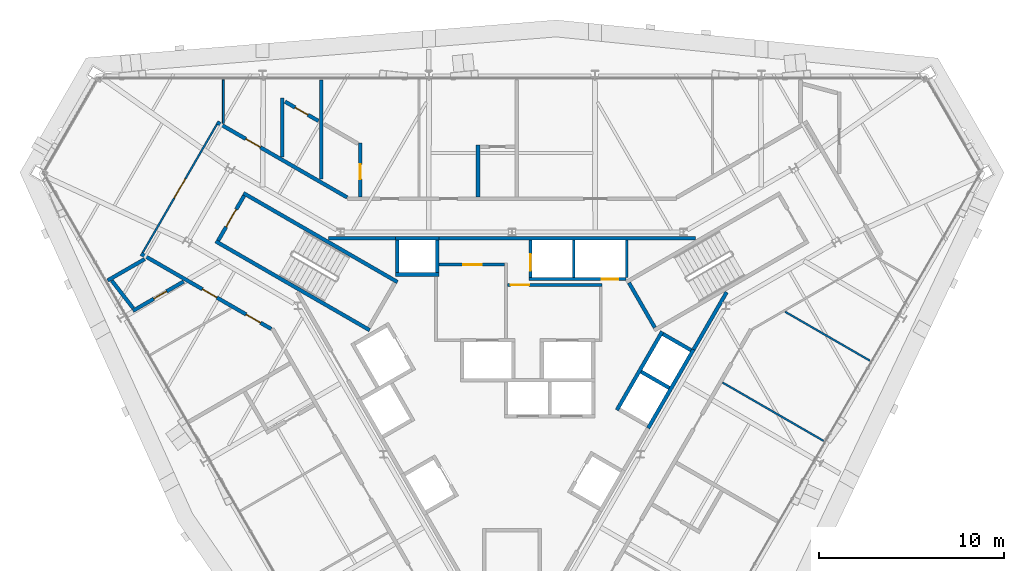
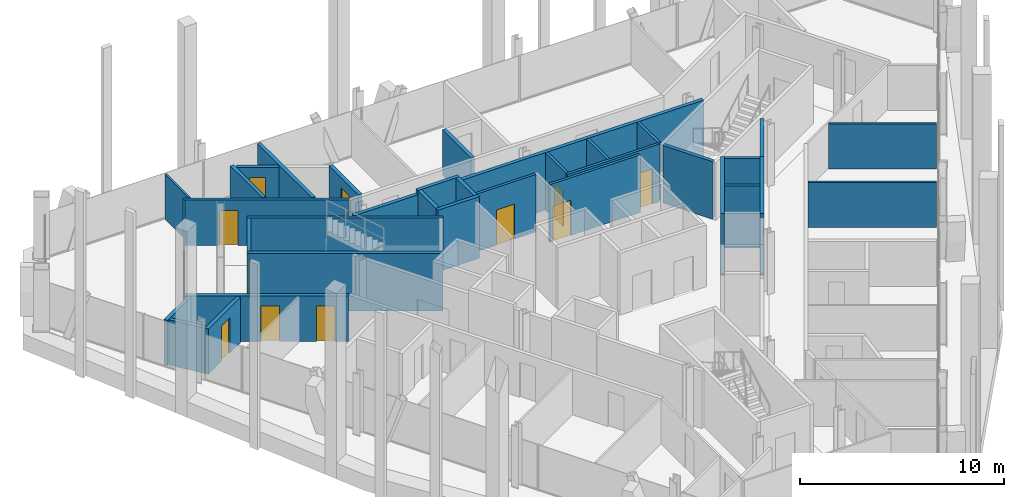
# One storey, part 13 of 16: 35 walls, 12 doors, 12 openings.
"""IFC4 building model written with IfcOpenShell, lengths in metres."""

from ifc_helpers import new_model, si_unit, direction, frame, frame_2d, origin, place, context, subcontext, project, spatial, rectangle, extrude, material, layer, layer_set, type_object, element, fill, save


model = new_model("IFC4")

# Units and contexts
model_context = context("Model", 3, precision=1e-05, world=origin(), true_north=direction((0.0, 1.0)))
body_context = subcontext(model_context, "Body", "Model", "MODEL_VIEW")
ifc_project = project(units=[si_unit("LENGTHUNIT", "METRE"), si_unit("AREAUNIT", "SQUARE_METRE"), si_unit("VOLUMEUNIT", "CUBIC_METRE"), si_unit("PLANEANGLEUNIT", "RADIAN"), si_unit("MASSUNIT", "GRAM", prefix="KILO")], contexts=[model_context])

# Site, building, storey
site_placement = place(None, origin())
site = spatial("IfcSite", under=ifc_project, at=site_placement, CompositionType="ELEMENT")
building_placement = place(site_placement, origin())
building = spatial("IfcBuilding", under=site, at=building_placement, Name="Verrane Prism Tower", CompositionType="ELEMENT")
storey_placement = place(building_placement, frame((0.0, 0.0, 236.0)))
storey = spatial("IfcBuildingStorey", under=building, at=storey_placement, Name="L59", CompositionType="ELEMENT", Elevation=236.0)

# Walls
ifc_material_1 = material(Name="Gypsum board partition", Category="other")
ifc_layer_1 = layer(ifc_material_1, 0.199951171875)
ifc_layer_set_1 = layer_set([ifc_layer_1], Name="CW-200 core boundary wall 2 h")
wall_type_1 = type_object("IfcWallType", Name="CW-200 core boundary wall 2 h", PredefinedType="PARTITIONING", material=ifc_layer_set_1)
wall_1_placement = place(storey_placement, frame((-9.907958984375, 7.659912109375, 0.0), z_axis=(0.0, 0.0, 1.0), x_axis=(1.0, 0.0, 0.0)))
element("IfcWall", 1, at=wall_1_placement, inside=storey, type_object=wall_type_1, Name="Core boundary wall CW3-002", PredefinedType="PARTITIONING", context=body_context, shape_type="SweptSolid", body=[
    extrude(rectangle(XDim=3.620849609375, YDim=0.199951171875, at=frame_2d((1.810546875, 0.0))), origin(), (0.0, 0.0, 1.0), 3.449951171875),
])
wall_2_placement = place(storey_placement, frame((-3.93310546875, 7.659912109375, 0.0), z_axis=(0.0, 0.0, 1.0), x_axis=(1.0, 0.0, 0.0)))
element("IfcWall", 2, at=wall_2_placement, inside=storey, type_object=wall_type_1, Name="Core boundary wall CW3-005", PredefinedType="PARTITIONING", context=body_context, shape_type="SweptSolid", body=[
    extrude(rectangle(XDim=13.841064453125, YDim=0.199951171875, at=frame_2d((6.92041015625, 0.0))), origin(), (0.0, 0.0, 1.0), 3.449951171875),
])
wall_3_placement = place(storey_placement, frame((9.802978515625, 1.657958984375, 0.0), z_axis=(0.0, 0.0, 1.0), x_axis=(0.499943114462, 0.866058244174, 0.0)))
element("IfcWall", 3, at=wall_3_placement, inside=storey, type_object=wall_type_1, Name="Core boundary wall CW3-008", PredefinedType="PARTITIONING", context=body_context, shape_type="SweptSolid", body=[
    extrude(rectangle(XDim=3.57568359375, YDim=0.199951171875, at=frame_2d((1.787841796875, 0.0))), origin(), (0.0, 0.0, 1.0), 3.449951171875),
])
ifc_material_2 = material(Name="Concrete C40/50", Category="concrete")
ifc_layer_2 = layer(ifc_material_2, 0.199951171875)
ifc_layer_set_2 = layer_set([ifc_layer_2], Name="CW-200 stair core wall concrete C40/50 3 h")
wall_type_2 = type_object("IfcWallType", Name="CW-200 stair core wall concrete C40/50 3 h", PredefinedType="PARTITIONING", material=ifc_layer_set_2)
wall_4_placement = place(storey_placement, frame((7.71484375, 2.837646484375, 0.0), z_axis=(0.0, 0.0, 1.0), x_axis=(-0.500049511043, 0.865996816683, 0.0)))
element("IfcWall", 4, at=wall_4_placement, inside=storey, type_object=wall_type_2, Name="Stair 1 enclosure wall", PredefinedType="PARTITIONING", context=body_context, shape_type="SweptSolid", body=[
    extrude(rectangle(XDim=2.800048828125, YDim=0.199951171875, at=frame_2d((1.39990234375, 0.0))), origin(), (0.0, 0.0, 1.0), 3.449951171875),
])

# Wall, opening, door
wall_5_placement = place(storey_placement, frame((-14.455322265625, 9.96240234375, 0.0), z_axis=(0.0, 0.0, 1.0), x_axis=(-0.500049511043, -0.865996816683, 0.0)))
wall_5 = element("IfcWall", 5, at=wall_5_placement, inside=storey, type_object=wall_type_2, Name="Stair 2 enclosure wall", PredefinedType="PARTITIONING", context=body_context, shape_type="SweptSolid", body=[
    extrude(rectangle(XDim=2.800048828125, YDim=0.199951171875, at=frame_2d((1.39990234375, 0.0))), origin(), (0.0, 0.0, 1.0), 3.449951171875),
])
opening_1_placement = place(wall_5_placement, frame((0.849853515625, 0.0, 0.0)))
opening_1 = element("IfcOpeningElement", 6, at=opening_1_placement, cuts=wall_5, Name="Opening D59501", PredefinedType="OPENING", context=body_context, shape_type="SweptSolid", body=[
    extrude(rectangle(XDim=1.10009765625, YDim=2.10009765625, at=frame_2d((0.550048828125, 1.050048828125))), frame((0.0, 0.10986328125, 0.0), z_axis=(0.0, -1.0, 0.0), x_axis=(1.0, 0.0, 0.0)), (0.0, 0.0, 1.0), 0.219970703125),
])
ifc_material_3 = material(Name="Timber veneered door leaf", Category="wood")
door_type_1 = type_object("IfcDoorType", Name="DR-1100x2100 FD90 single leaf stair", OperationType="NOTDEFINED", PredefinedType="DOOR", material=ifc_material_3)
door_1_placement = place(opening_1_placement, origin())
door_1 = element("IfcDoor", 7, at=door_1_placement, inside=storey, type_object=door_type_1, Name="Stair 2 door", OperationType="SINGLE_SWING_RIGHT", OverallHeight=2.10009765625, OverallWidth=1.10009765625, PredefinedType="DOOR", context=body_context, shape_type="SweptSolid", body=[
    extrude(rectangle(XDim=1.10009765625, YDim=2.10009765625, at=frame_2d((0.550048828125, 1.050048828125))), frame((0.0, 0.02490234375, 0.0), z_axis=(0.0, -1.0, 0.0), x_axis=(1.0, 0.0, 0.0)), (0.0, 0.0, 1.0), 0.050048828125),
])
fill(opening_1, door_1)

# Walls
for number, where, z_axis, x_axis, name in (
    (8, (-7.67822265625, 2.700927734375, 0.0), (0.0, 0.0, 1.0), (-0.866019993635, 0.500009370536, 0.0), "Stair 2 enclosure wall"),
    (9, (-6.17822265625, 5.299072265625, 0.0), (0.0, 0.0, 1.0), (-0.866019993635, 0.500009370536, 0.0), "Stair 2 enclosure wall"),
):
    element("IfcWall", number, at=place(storey_placement, frame(where, z_axis=z_axis, x_axis=x_axis)), inside=storey, type_object=wall_type_2, Name=name, PredefinedType="PARTITIONING", context=body_context, shape_type="SweptSolid", body=[
        extrude(rectangle(XDim=9.599853515625, YDim=0.199951171875, at=frame_2d((4.7998046875, 0.0))), origin(), (0.0, 0.0, 1.0), 3.449951171875),
    ])
ifc_material_4 = material(Name="Gypsum board shaft wall assembly", Category="other")
ifc_layer_3 = layer(ifc_material_4, 0.199951171875)
ifc_layer_set_3 = layer_set([ifc_layer_3], Name="HW-200 lift shaft wall 2 h")
wall_type_3 = type_object("IfcWallType", Name="HW-200 lift shaft wall 2 h", PredefinedType="PARTITIONING", material=ifc_layer_set_3)
for number, where, z_axis, x_axis, name in (
    (10, (-6.284912109375, 5.7099609375, 0.0), (0.0, 0.0, 1.0), (1.0, 0.0, 0.0), "Lift shaft wall"),
    (11, (-6.284912109375, 7.659912109375, 0.0), (0.0, 0.0, 1.0), (1.0, 0.0, 0.0), "Lift shaft wall"),
):
    element("IfcWall", number, at=place(storey_placement, frame(where, z_axis=z_axis, x_axis=x_axis)), inside=storey, type_object=wall_type_3, Name=name, PredefinedType="PARTITIONING", context=body_context, shape_type="SweptSolid", body=[
        extrude(rectangle(XDim=2.349853515625, YDim=0.199951171875, at=frame_2d((1.1748046875, 0.0))), origin(), (0.0, 0.0, 1.0), 3.699951171875),
    ])
wall_6_placement = place(storey_placement, frame((7.351318359375, -2.587158203125, 0.0), z_axis=(0.0, 0.0, 1.0), x_axis=(0.500002801628, 0.866023786258, 0.0)))
element("IfcWall", 12, at=wall_6_placement, inside=storey, type_object=wall_type_3, Name="Lift shaft wall", PredefinedType="PARTITIONING", context=body_context, shape_type="SweptSolid", body=[
    extrude(rectangle(XDim=4.89990234375, YDim=0.199951171875, at=frame_2d((2.449951171875, 0.0))), origin(), (0.0, 0.0, 1.0), 3.699951171875),
])
wall_7_placement = place(storey_placement, frame((5.66259765625, -1.6123046875, 0.0), z_axis=(0.0, 0.0, 1.0), x_axis=(0.49998122708, 0.866036242063, 0.0)))
element("IfcWall", 13, at=wall_7_placement, inside=storey, type_object=wall_type_3, Name="Lift shaft wall", PredefinedType="PARTITIONING", context=body_context, shape_type="SweptSolid", body=[
    extrude(rectangle(XDim=4.900146484375, YDim=0.199951171875, at=frame_2d((2.4501953125, 0.0))), origin(), (0.0, 0.0, 1.0), 3.699951171875),
])
for number, where, z_axis, x_axis, name in (
    (14, (-4.034912109375, 5.81005859375, 0.0), (0.0, 0.0, 1.0), (0.0, 1.0, 0.0), "Lift shaft wall"),
    (15, (-6.18505859375, 5.81005859375, 0.0), (0.0, 0.0, 1.0), (0.0, 1.0, 0.0), "Lift shaft wall"),
):
    element("IfcWall", number, at=place(storey_placement, frame(where, z_axis=z_axis, x_axis=x_axis)), inside=storey, type_object=wall_type_3, Name=name, PredefinedType="PARTITIONING", context=body_context, shape_type="SweptSolid", body=[
        extrude(rectangle(XDim=1.75, YDim=0.199951171875, at=frame_2d((0.875, 0.0))), origin(), (0.0, 0.0, 1.0), 3.699951171875),
    ])
wall_8_placement = place(storey_placement, frame((9.66455078125, 1.61962890625, 0.0), z_axis=(0.0, 0.0, 1.0), x_axis=(-0.866002029911, 0.500040482552, 0.0)))
element("IfcWall", 16, at=wall_8_placement, inside=storey, type_object=wall_type_3, Name="Lift shaft wall", PredefinedType="PARTITIONING", context=body_context, shape_type="SweptSolid", body=[
    extrude(rectangle(XDim=1.749755859375, YDim=0.199951171875, at=frame_2d((0.875, 0.0))), origin(), (0.0, 0.0, 1.0), 3.699951171875),
])
wall_9_placement = place(storey_placement, frame((8.48974609375, -0.41552734375, 0.0), z_axis=(0.0, 0.0, 1.0), x_axis=(-0.866036909293, 0.499980071345, 0.0)))
element("IfcWall", 17, at=wall_9_placement, inside=storey, type_object=wall_type_3, Name="Lift shaft wall", PredefinedType="PARTITIONING", context=body_context, shape_type="SweptSolid", body=[
    extrude(rectangle(XDim=1.75, YDim=0.199951171875, at=frame_2d((0.875, 0.0))), origin(), (0.0, 0.0, 1.0), 3.699951171875),
])

# Wall, opening, door
ifc_material_5 = material(Name="Gypsum board partition", Category="other")
ifc_layer_4 = layer(ifc_material_5, 0.14990234375)
ifc_layer_set_4 = layer_set([ifc_layer_4], Name="LF-150 firefighting lobby wall 1 h")
wall_type_4 = type_object("IfcWallType", Name="LF-150 firefighting lobby wall 1 h", PredefinedType="PARTITIONING", material=ifc_layer_set_4)
wall_10_placement = place(storey_placement, frame((-3.93310546875, 6.239990234375, 0.0), z_axis=(0.0, 0.0, 1.0), x_axis=(1.0, 0.0, 0.0)))
wall_10 = element("IfcWall", 18, at=wall_10_placement, inside=storey, type_object=wall_type_4, Name="Firefighting lobby wall LF1-003", PredefinedType="PARTITIONING", context=body_context, shape_type="SweptSolid", body=[
    extrude(rectangle(XDim=3.5380859375, YDim=0.14990234375, at=frame_2d((1.76904296875, 0.0))), origin(), (0.0, 0.0, 1.0), 3.449951171875),
])
opening_2_placement = place(wall_10_placement, frame((1.300048828125, 0.0, 0.0)))
opening_2 = element("IfcOpeningElement", 19, at=opening_2_placement, cuts=wall_10, Name="Opening D59511", PredefinedType="OPENING", context=body_context, shape_type="SweptSolid", body=[
    extrude(rectangle(XDim=1.0, YDim=2.10009765625, at=frame_2d((0.5, 1.050048828125))), frame((0.0, 0.0849609375, 0.0), z_axis=(0.0, -1.0, 0.0), x_axis=(1.0, 0.0, 0.0)), (0.0, 0.0, 1.0), 0.169921875),
])
ifc_material_6 = material(Name="Timber veneered door leaf", Category="wood")
door_type_2 = type_object("IfcDoorType", Name="DR-1000x2100 FD60 single leaf firefighting lobby", OperationType="NOTDEFINED", PredefinedType="DOOR", material=ifc_material_6)
door_2_placement = place(opening_2_placement, origin())
door_2 = element("IfcDoor", 20, at=door_2_placement, inside=storey, type_object=door_type_2, Name="Firefighting lobby door D59511", OperationType="SINGLE_SWING_LEFT", OverallHeight=2.10009765625, OverallWidth=1.0, PredefinedType="DOOR", context=body_context, shape_type="SweptSolid", body=[
    extrude(rectangle(XDim=1.0, YDim=2.10009765625, at=frame_2d((0.5, 1.050048828125))), frame((0.0, 0.02490234375, 0.0), z_axis=(0.0, -1.0, 0.0), x_axis=(1.0, 0.0, 0.0)), (0.0, 0.0, 1.0), 0.050048828125),
])
fill(opening_2, door_2)

wall_11_placement = place(storey_placement, frame((-0.2451171875, 5.139892578125, 0.0), z_axis=(0.0, 0.0, 1.0), x_axis=(1.0, 0.0, 0.0)))
wall_11 = element("IfcWall", 21, at=wall_11_placement, inside=storey, type_object=wall_type_4, Name="Firefighting lobby wall LF1-005", PredefinedType="PARTITIONING", context=body_context, shape_type="SweptSolid", body=[
    extrude(rectangle(XDim=5.110107421875, YDim=0.14990234375, at=frame_2d((2.55517578125, 0.0))), origin(), (0.0, 0.0, 1.0), 3.449951171875),
])
opening_3_placement = place(wall_11_placement, frame((0.175048828125, 0.0, 0.0)))
opening_3 = element("IfcOpeningElement", 22, at=opening_3_placement, cuts=wall_11, Name="Opening D59512", PredefinedType="OPENING", context=body_context, shape_type="SweptSolid", body=[
    extrude(rectangle(XDim=1.0, YDim=2.10009765625, at=frame_2d((0.5, 1.050048828125))), frame((0.0, 0.0849609375, 0.0), z_axis=(0.0, -1.0, 0.0), x_axis=(1.0, 0.0, 0.0)), (0.0, 0.0, 1.0), 0.169921875),
])
door_3_placement = place(opening_3_placement, origin())
door_3 = element("IfcDoor", 23, at=door_3_placement, inside=storey, type_object=door_type_2, Name="Firefighting lobby door D59512", OperationType="SINGLE_SWING_LEFT", OverallHeight=2.10009765625, OverallWidth=1.0, PredefinedType="DOOR", context=body_context, shape_type="SweptSolid", body=[
    extrude(rectangle(XDim=1.0, YDim=2.10009765625, at=frame_2d((0.5, 1.050048828125))), frame((0.0, 0.02490234375, 0.0), z_axis=(0.0, -1.0, 0.0), x_axis=(1.0, 0.0, 0.0)), (0.0, 0.0, 1.0), 0.050048828125),
])
fill(opening_3, door_3)

ifc_material_7 = material(Name="Gypsum board partition", Category="other")
ifc_layer_5 = layer(ifc_material_7, 0.10009765625)
ifc_layer_set_5 = layer_set([ifc_layer_5], Name="PW-100 room partition")
wall_type_5 = type_object("IfcWallType", Name="PW-100 room partition", PredefinedType="PARTITIONING", material=ifc_layer_set_5)
wall_12_placement = place(storey_placement, frame((-19.929931640625, 6.8876953125, 0.0), z_axis=(0.0, 0.0, 1.0), x_axis=(0.500420003794, 0.865782778648, 0.0)))
wall_12 = element("IfcWall", 24, at=wall_12_placement, inside=storey, type_object=wall_type_5, Name="Room partition 004", PredefinedType="PARTITIONING", context=body_context, shape_type="SweptSolid", body=[
    extrude(rectangle(XDim=7.9970703125, YDim=0.10009765625, at=frame_2d((3.99853515625, 0.0))), origin(), (0.0, 0.0, 1.0), 2.712890625),
])
opening_4_placement = place(wall_12_placement, frame((3.39990234375, 0.0, 0.0)))
opening_4 = element("IfcOpeningElement", 25, at=opening_4_placement, cuts=wall_12, Name="Opening D59011", PredefinedType="OPENING", context=body_context, shape_type="SweptSolid", body=[
    extrude(rectangle(XDim=1.199951171875, YDim=2.10009765625, at=frame_2d((0.60009765625, 1.050048828125))), frame((0.0, 0.06005859375, 0.0), z_axis=(0.0, -1.0, 0.0), x_axis=(1.0, 0.0, 0.0)), (0.0, 0.0, 1.0), 0.1201171875),
])
ifc_material_8 = material(Name="Timber veneered door leaf", Category="wood")
door_type_3 = type_object("IfcDoorType", Name="DR-1200x2100 single leaf unit", OperationType="NOTDEFINED", PredefinedType="DOOR", material=ifc_material_8)
door_4_placement = place(opening_4_placement, origin())
door_4 = element("IfcDoor", 26, at=door_4_placement, inside=storey, type_object=door_type_3, Name="Living And Dining Room door", OperationType="SINGLE_SWING_LEFT", OverallHeight=2.10009765625, OverallWidth=1.199951171875, PredefinedType="DOOR", context=body_context, shape_type="SweptSolid", body=[
    extrude(rectangle(XDim=1.199951171875, YDim=2.10009765625, at=frame_2d((0.60009765625, 1.050048828125))), frame((0.0, 0.02490234375, 0.0), z_axis=(0.0, -1.0, 0.0), x_axis=(1.0, 0.0, 0.0)), (0.0, 0.0, 1.0), 0.050048828125),
])
fill(opening_4, door_4)

# Walls
wall_13_placement = place(storey_placement, frame((-15.572998046875, 13.8662109375, 0.0), z_axis=(0.0, 0.0, 1.0), x_axis=(0.0, 1.0, 0.0)))
element("IfcWall", 27, at=wall_13_placement, inside=storey, type_object=wall_type_5, Name="Room partition 009", PredefinedType="PARTITIONING", context=body_context, shape_type="SweptSolid", body=[
    extrude(rectangle(XDim=2.33984375, YDim=0.10009765625, at=frame_2d((1.169921875, 0.0))), origin(), (0.0, 0.0, 1.0), 2.712890625),
])
wall_14_placement = place(storey_placement, frame((11.362548828125, -0.123046875, 0.0), z_axis=(0.0, 0.0, 1.0), x_axis=(0.866027573341, -0.4999962422, 0.0)))
element("IfcWall", 28, at=wall_14_placement, inside=storey, type_object=wall_type_5, Name="Room partition 049", PredefinedType="PARTITIONING", context=body_context, shape_type="SweptSolid", body=[
    extrude(rectangle(XDim=6.3037109375, YDim=0.10009765625, at=frame_2d((3.15185546875, 0.0))), origin(), (0.0, 0.0, 1.0), 2.712890625),
])
wall_15_placement = place(storey_placement, frame((14.748046875, 3.694580078125, 0.0), z_axis=(0.0, 0.0, 1.0), x_axis=(0.86599232748, -0.500057285464, 0.0)))
element("IfcWall", 29, at=wall_15_placement, inside=storey, type_object=wall_type_5, Name="Room partition 051", PredefinedType="PARTITIONING", context=body_context, shape_type="SweptSolid", body=[
    extrude(rectangle(XDim=5.28076171875, YDim=0.10009765625, at=frame_2d((2.640380859375, 0.0))), origin(), (0.0, 0.0, 1.0), 2.712890625),
])
ifc_material_9 = material(Name="Gypsum board partition", Category="other")
ifc_layer_6 = layer(ifc_material_9, 0.199951171875)
ifc_layer_set_6 = layer_set([ifc_layer_6], Name="PW-200 plumbing wall")
wall_type_6 = type_object("IfcWallType", Name="PW-200 plumbing wall", PredefinedType="PARTITIONING", material=ifc_layer_set_6)
wall_16_placement = place(storey_placement, frame((-21.821044921875, 5.384033203125, 0.0), z_axis=(0.0, 0.0, 1.0), x_axis=(0.866178541367, 0.499734664072, 0.0)))
element("IfcWall", 30, at=wall_16_placement, inside=storey, type_object=wall_type_6, Name="Plumbing wall 001", PredefinedType="PARTITIONING", context=body_context, shape_type="SweptSolid", body=[
    extrude(rectangle(XDim=2.307861328125, YDim=0.199951171875, at=frame_2d((1.15380859375, 0.0))), origin(), (0.0, 0.0, 1.0), 2.712890625),
])
wall_17_placement = place(storey_placement, frame((-21.6015625, 5.37841796875, 0.0), z_axis=(0.0, 0.0, 1.0), x_axis=(0.613269592497, -0.789873665163, 0.0)))
element("IfcWall", 31, at=wall_17_placement, inside=storey, type_object=wall_type_6, Name="Plumbing wall 002", PredefinedType="PARTITIONING", context=body_context, shape_type="SweptSolid", body=[
    extrude(rectangle(XDim=1.8896484375, YDim=0.199951171875, at=frame_2d((0.94482421875, 0.0))), origin(), (0.0, 0.0, 1.0), 2.712890625),
])

# Wall, opening, door
wall_18_placement = place(storey_placement, frame((-20.45849609375, 3.744873046875, 0.0), z_axis=(0.0, 0.0, 1.0), x_axis=(0.865942402911, 0.500143734182, 0.0)))
wall_18 = element("IfcWall", 32, at=wall_18_placement, inside=storey, type_object=wall_type_6, Name="Plumbing wall 003", PredefinedType="PARTITIONING", context=body_context, shape_type="SweptSolid", body=[
    extrude(rectangle(XDim=3.16015625, YDim=0.199951171875, at=frame_2d((1.580078125, 0.0))), origin(), (0.0, 0.0, 1.0), 2.712890625),
])
opening_5_placement = place(wall_18_placement, frame((1.300048828125, 0.0, 0.0)))
opening_5 = element("IfcOpeningElement", 33, at=opening_5_placement, cuts=wall_18, Name="Opening D59013", PredefinedType="OPENING", context=body_context, shape_type="SweptSolid", body=[
    extrude(rectangle(XDim=0.800048828125, YDim=2.10009765625, at=frame_2d((0.39990234375, 1.050048828125))), frame((0.0, 0.10986328125, 0.0), z_axis=(0.0, -1.0, 0.0), x_axis=(1.0, 0.0, 0.0)), (0.0, 0.0, 1.0), 0.219970703125),
])
ifc_material_10 = material(Name="Timber veneered door leaf", Category="wood")
door_type_4 = type_object("IfcDoorType", Name="DR-800x2100 single leaf bath", OperationType="NOTDEFINED", PredefinedType="DOOR", material=ifc_material_10)
door_5_placement = place(opening_5_placement, origin())
door_5 = element("IfcDoor", 34, at=door_5_placement, inside=storey, type_object=door_type_4, Name="Bathroom door", OperationType="SINGLE_SWING_LEFT", OverallHeight=2.10009765625, OverallWidth=0.800048828125, PredefinedType="DOOR", context=body_context, shape_type="SweptSolid", body=[
    extrude(rectangle(XDim=0.800048828125, YDim=2.10009765625, at=frame_2d((0.39990234375, 1.050048828125))), frame((0.0, 0.02490234375, 0.0), z_axis=(0.0, -1.0, 0.0), x_axis=(1.0, 0.0, 0.0)), (0.0, 0.0, 1.0), 0.050048828125),
])
fill(opening_5, door_5)

# Wall, openings, doors
wall_19_placement = place(storey_placement, frame((-12.994873046875, 2.76953125, 0.0), z_axis=(0.0, 0.0, 1.0), x_axis=(-0.866100425926, 0.499870035319, 0.0)))
wall_19 = element("IfcWall", 35, at=wall_19_placement, inside=storey, type_object=wall_type_6, Name="Plumbing wall 005", PredefinedType="PARTITIONING", context=body_context, shape_type="SweptSolid", body=[
    extrude(rectangle(XDim=8.114990234375, YDim=0.199951171875, at=frame_2d((4.0576171875, 0.0))), origin(), (0.0, 0.0, 1.0), 2.712890625),
])
opening_6_placement = place(wall_19_placement, frame((3.385009765625, 0.0, 0.0)))
opening_6 = element("IfcOpeningElement", 36, at=opening_6_placement, cuts=wall_19, Name="Opening D59012", PredefinedType="OPENING", context=body_context, shape_type="SweptSolid", body=[
    extrude(rectangle(XDim=0.89990234375, YDim=2.10009765625, at=frame_2d((0.449951171875, 1.050048828125))), frame((0.0, 0.10986328125, 0.0), z_axis=(0.0, -1.0, 0.0), x_axis=(1.0, 0.0, 0.0)), (0.0, 0.0, 1.0), 0.219970703125),
])
opening_7_placement = place(wall_19_placement, frame((0.6650390625, 0.0, 0.0)))
opening_7 = element("IfcOpeningElement", 37, at=opening_7_placement, cuts=wall_19, Name="Opening D59014", PredefinedType="OPENING", context=body_context, shape_type="SweptSolid", body=[
    extrude(rectangle(XDim=0.89990234375, YDim=2.10009765625, at=frame_2d((0.449951171875, 1.050048828125))), frame((0.0, 0.10986328125, 0.0), z_axis=(0.0, -1.0, 0.0), x_axis=(1.0, 0.0, 0.0)), (0.0, 0.0, 1.0), 0.219970703125),
])
ifc_material_11 = material(Name="Timber veneered door leaf", Category="wood")
door_type_5 = type_object("IfcDoorType", Name="DR-900x2100 single leaf inner", OperationType="NOTDEFINED", PredefinedType="DOOR", material=ifc_material_11)
door_6_placement = place(opening_6_placement, origin())
door_6 = element("IfcDoor", 38, at=door_6_placement, inside=storey, type_object=door_type_5, Name="Bedroom door", OperationType="SINGLE_SWING_LEFT", OverallHeight=2.10009765625, OverallWidth=0.89990234375, PredefinedType="DOOR", context=body_context, shape_type="SweptSolid", body=[
    extrude(rectangle(XDim=0.89990234375, YDim=2.10009765625, at=frame_2d((0.449951171875, 1.050048828125))), frame((0.0, 0.02490234375, 0.0), z_axis=(0.0, -1.0, 0.0), x_axis=(1.0, 0.0, 0.0)), (0.0, 0.0, 1.0), 0.050048828125),
])
fill(opening_6, door_6)
ifc_material_12 = material(Name="Timber veneered door leaf", Category="wood")
door_type_6 = type_object("IfcDoorType", Name="DR-900x2100 single leaf unit", OperationType="NOTDEFINED", PredefinedType="DOOR", material=ifc_material_12)
door_7_placement = place(opening_7_placement, origin())
door_7 = element("IfcDoor", 39, at=door_7_placement, inside=storey, type_object=door_type_6, Name="Kitchen door", OperationType="SINGLE_SWING_LEFT", OverallHeight=2.10009765625, OverallWidth=0.89990234375, PredefinedType="DOOR", context=body_context, shape_type="SweptSolid", body=[
    extrude(rectangle(XDim=0.89990234375, YDim=2.10009765625, at=frame_2d((0.449951171875, 1.050048828125))), frame((0.0, 0.02490234375, 0.0), z_axis=(0.0, -1.0, 0.0), x_axis=(1.0, 0.0, 0.0)), (0.0, 0.0, 1.0), 0.050048828125),
])
fill(opening_7, door_7)

# Wall, opening, door
wall_20_placement = place(storey_placement, frame((-15.92138671875, 13.923095703125, 0.0), z_axis=(0.0, 0.0, 1.0), x_axis=(0.866079355551, -0.499906541154, 0.0)))
wall_20 = element("IfcWall", 40, at=wall_20_placement, inside=storey, type_object=wall_type_6, Name="Plumbing wall 008", PredefinedType="PARTITIONING", context=body_context, shape_type="SweptSolid", body=[
    extrude(rectangle(XDim=8.11279296875, YDim=0.199951171875, at=frame_2d((4.056396484375, 0.0))), origin(), (0.0, 0.0, 1.0), 2.712890625),
])
opening_8_placement = place(wall_20_placement, frame((1.802001953125, 0.0, 0.0)))
opening_8 = element("IfcOpeningElement", 41, at=opening_8_placement, cuts=wall_20, Name="Opening D59009", PredefinedType="OPENING", context=body_context, shape_type="SweptSolid", body=[
    extrude(rectangle(XDim=0.89990234375, YDim=2.10009765625, at=frame_2d((0.449951171875, 1.050048828125))), frame((0.0, 0.10986328125, 0.0), z_axis=(0.0, -1.0, 0.0), x_axis=(1.0, 0.0, 0.0)), (0.0, 0.0, 1.0), 0.219970703125),
])
door_8_placement = place(opening_8_placement, origin())
door_8 = element("IfcDoor", 42, at=door_8_placement, inside=storey, type_object=door_type_5, Name="Bedroom door", OperationType="SINGLE_SWING_LEFT", OverallHeight=2.10009765625, OverallWidth=0.89990234375, PredefinedType="DOOR", context=body_context, shape_type="SweptSolid", body=[
    extrude(rectangle(XDim=0.89990234375, YDim=2.10009765625, at=frame_2d((0.449951171875, 1.050048828125))), frame((0.0, 0.02490234375, 0.0), z_axis=(0.0, -1.0, 0.0), x_axis=(1.0, 0.0, 0.0)), (0.0, 0.0, 1.0), 0.050048828125),
])
fill(opening_8, door_8)

# Wall
wall_21_placement = place(storey_placement, frame((-12.39404296875, 12.06005859375, 0.0), z_axis=(0.0, 0.0, 1.0), x_axis=(0.0, 1.0, 0.0)))
element("IfcWall", 43, at=wall_21_placement, inside=storey, type_object=wall_type_6, Name="Plumbing wall 014", PredefinedType="PARTITIONING", context=body_context, shape_type="SweptSolid", body=[
    extrude(rectangle(XDim=3.159912109375, YDim=0.199951171875, at=frame_2d((1.580078125, 0.0))), origin(), (0.0, 0.0, 1.0), 2.712890625),
])

# Wall, opening, door
wall_22_placement = place(storey_placement, frame((-10.444091796875, 13.99462890625, 0.0), z_axis=(0.0, 0.0, 1.0), x_axis=(-0.866134808485, 0.499810457605, 0.0)))
wall_22 = element("IfcWall", 44, at=wall_22_placement, inside=storey, type_object=wall_type_6, Name="Plumbing wall 015", PredefinedType="PARTITIONING", context=body_context, shape_type="SweptSolid", body=[
    extrude(rectangle(XDim=2.081298828125, YDim=0.199951171875, at=frame_2d((1.04052734375, 0.0))), origin(), (0.0, 0.0, 1.0), 2.712890625),
])
opening_9_placement = place(wall_22_placement, frame((0.6513671875, 0.0, 0.0)))
opening_9 = element("IfcOpeningElement", 45, at=opening_9_placement, cuts=wall_22, Name="Opening D59010", PredefinedType="OPENING", context=body_context, shape_type="SweptSolid", body=[
    extrude(rectangle(XDim=0.800048828125, YDim=2.10009765625, at=frame_2d((0.39990234375, 1.050048828125))), frame((0.0, 0.10986328125, 0.0), z_axis=(0.0, -1.0, 0.0), x_axis=(1.0, 0.0, 0.0)), (0.0, 0.0, 1.0), 0.219970703125),
])
door_9_placement = place(opening_9_placement, origin())
door_9 = element("IfcDoor", 46, at=door_9_placement, inside=storey, type_object=door_type_4, Name="Bathroom door", OperationType="SINGLE_SWING_LEFT", OverallHeight=2.10009765625, OverallWidth=0.800048828125, PredefinedType="DOOR", context=body_context, shape_type="SweptSolid", body=[
    extrude(rectangle(XDim=0.800048828125, YDim=2.10009765625, at=frame_2d((0.39990234375, 1.050048828125))), frame((0.0, 0.02490234375, 0.0), z_axis=(0.0, -1.0, 0.0), x_axis=(1.0, 0.0, 0.0)), (0.0, 0.0, 1.0), 0.050048828125),
])
fill(opening_9, door_9)

# Wall
wall_23_placement = place(storey_placement, frame((-10.2939453125, 10.84814453125, 0.0), z_axis=(0.0, 0.0, 1.0), x_axis=(0.0, 1.0, 0.0)))
element("IfcWall", 47, at=wall_23_placement, inside=storey, type_object=wall_type_6, Name="Plumbing wall 017", PredefinedType="PARTITIONING", context=body_context, shape_type="SweptSolid", body=[
    extrude(rectangle(XDim=5.35791015625, YDim=0.199951171875, at=frame_2d((2.678955078125, 0.0))), origin(), (0.0, 0.0, 1.0), 2.712890625),
])

# Wall, opening, door
wall_24_placement = place(storey_placement, frame((-8.194091796875, 9.89990234375, 0.0), z_axis=(0.0, 0.0, 1.0), x_axis=(0.0, 1.0, 0.0)))
wall_24 = element("IfcWall", 48, at=wall_24_placement, inside=storey, type_object=wall_type_6, Name="Plumbing wall 021", PredefinedType="PARTITIONING", context=body_context, shape_type="SweptSolid", body=[
    extrude(rectangle(XDim=2.89599609375, YDim=0.199951171875, at=frame_2d((1.447998046875, 0.0))), origin(), (0.0, 0.0, 1.0), 2.712890625),
])
opening_10_placement = place(wall_24_placement, frame((0.949951171875, 0.0, 0.0)))
opening_10 = element("IfcOpeningElement", 49, at=opening_10_placement, cuts=wall_24, Name="Opening D59008", PredefinedType="OPENING", context=body_context, shape_type="SweptSolid", body=[
    extrude(rectangle(XDim=0.800048828125, YDim=2.10009765625, at=frame_2d((0.39990234375, 1.050048828125))), frame((0.0, 0.10986328125, 0.0), z_axis=(0.0, -1.0, 0.0), x_axis=(1.0, 0.0, 0.0)), (0.0, 0.0, 1.0), 0.219970703125),
])
door_10_placement = place(opening_10_placement, origin())
door_10 = element("IfcDoor", 50, at=door_10_placement, inside=storey, type_object=door_type_4, Name="Bathroom door", OperationType="SINGLE_SWING_RIGHT", OverallHeight=2.10009765625, OverallWidth=0.800048828125, PredefinedType="DOOR", context=body_context, shape_type="SweptSolid", body=[
    extrude(rectangle(XDim=0.800048828125, YDim=2.10009765625, at=frame_2d((0.39990234375, 1.050048828125))), frame((0.0, 0.02490234375, 0.0), z_axis=(0.0, -1.0, 0.0), x_axis=(1.0, 0.0, 0.0)), (0.0, 0.0, 1.0), 0.050048828125),
])
fill(opening_10, door_10)

# Wall
wall_25_placement = place(storey_placement, frame((-1.8359375, 9.89990234375, 0.0), z_axis=(0.0, 0.0, 1.0), x_axis=(0.0, 1.0, 0.0)))
element("IfcWall", 51, at=wall_25_placement, inside=storey, type_object=wall_type_6, Name="Plumbing wall 030", PredefinedType="PARTITIONING", context=body_context, shape_type="SweptSolid", body=[
    extrude(rectangle(XDim=2.800048828125, YDim=0.199951171875, at=frame_2d((1.39990234375, 0.0))), origin(), (0.0, 0.0, 1.0), 2.712890625),
])

# Wall, opening, door
ifc_material_13 = material(Name="Gypsum board partition", Category="other")
ifc_layer_7 = layer(ifc_material_13, 0.14990234375)
ifc_layer_set_7 = layer_set([ifc_layer_7], Name="RS-150 riser enclosure wall 1 h")
wall_type_7 = type_object("IfcWallType", Name="RS-150 riser enclosure wall 1 h", PredefinedType="PARTITIONING", material=ifc_layer_set_7)
wall_26_placement = place(storey_placement, frame((1.0, 7.56005859375, 0.0), z_axis=(0.0, 0.0, 1.0), x_axis=(0.0, -1.0, 0.0)))
wall_26 = element("IfcWall", 52, at=wall_26_placement, inside=storey, type_object=wall_type_7, Name="Riser wall RS3-001", PredefinedType="PARTITIONING", context=body_context, shape_type="SweptSolid", body=[
    extrude(rectangle(XDim=2.025146484375, YDim=0.14990234375, at=frame_2d((1.0126953125, 0.0))), origin(), (0.0, 0.0, 1.0), 3.449951171875),
])
opening_11_placement = place(wall_26_placement, frame((0.75, 0.0, 0.0)))
opening_11 = element("IfcOpeningElement", 53, at=opening_11_placement, cuts=wall_26, Name="Opening D59513", PredefinedType="OPENING", context=body_context, shape_type="SweptSolid", body=[
    extrude(rectangle(XDim=0.89990234375, YDim=2.10009765625, at=frame_2d((0.449951171875, 1.050048828125))), frame((0.0, 0.0849609375, 0.0), z_axis=(0.0, -1.0, 0.0), x_axis=(1.0, 0.0, 0.0)), (0.0, 0.0, 1.0), 0.169921875),
])
ifc_material_14 = material(Name="Timber veneered door leaf", Category="wood")
door_type_7 = type_object("IfcDoorType", Name="DR-900x2100 FD60 single leaf riser", OperationType="NOTDEFINED", PredefinedType="DOOR", material=ifc_material_14)
door_11_placement = place(opening_11_placement, origin())
door_11 = element("IfcDoor", 54, at=door_11_placement, inside=storey, type_object=door_type_7, Name="Riser door D59513", OperationType="SINGLE_SWING_RIGHT", OverallHeight=2.10009765625, OverallWidth=0.89990234375, PredefinedType="DOOR", context=body_context, shape_type="SweptSolid", body=[
    extrude(rectangle(XDim=0.89990234375, YDim=2.10009765625, at=frame_2d((0.449951171875, 1.050048828125))), frame((0.0, 0.02490234375, 0.0), z_axis=(0.0, -1.0, 0.0), x_axis=(1.0, 0.0, 0.0)), (0.0, 0.0, 1.0), 0.050048828125),
])
fill(opening_11, door_11)

wall_27_placement = place(storey_placement, frame((0.925048828125, 5.4599609375, 0.0), z_axis=(0.0, 0.0, 1.0), x_axis=(1.0, 0.0, 0.0)))
wall_27 = element("IfcWall", 55, at=wall_27_placement, inside=storey, type_object=wall_type_7, Name="Riser wall RS3-002", PredefinedType="PARTITIONING", context=body_context, shape_type="SweptSolid", body=[
    extrude(rectangle(XDim=5.219970703125, YDim=0.14990234375, at=frame_2d((2.60986328125, 0.0))), origin(), (0.0, 0.0, 1.0), 3.449951171875),
])
opening_12_placement = place(wall_27_placement, frame((3.9150390625, 0.0, 0.0)))
opening_12 = element("IfcOpeningElement", 56, at=opening_12_placement, cuts=wall_27, Name="Opening D59514", PredefinedType="OPENING", context=body_context, shape_type="SweptSolid", body=[
    extrude(rectangle(XDim=0.89990234375, YDim=2.10009765625, at=frame_2d((0.449951171875, 1.050048828125))), frame((0.0, 0.0849609375, 0.0), z_axis=(0.0, -1.0, 0.0), x_axis=(1.0, 0.0, 0.0)), (0.0, 0.0, 1.0), 0.169921875),
])
door_12_placement = place(opening_12_placement, origin())
door_12 = element("IfcDoor", 57, at=door_12_placement, inside=storey, type_object=door_type_7, Name="Riser door D59514", OperationType="SINGLE_SWING_RIGHT", OverallHeight=2.10009765625, OverallWidth=0.89990234375, PredefinedType="DOOR", context=body_context, shape_type="SweptSolid", body=[
    extrude(rectangle(XDim=0.89990234375, YDim=2.10009765625, at=frame_2d((0.449951171875, 1.050048828125))), frame((0.0, 0.02490234375, 0.0), z_axis=(0.0, -1.0, 0.0), x_axis=(1.0, 0.0, 0.0)), (0.0, 0.0, 1.0), 0.050048828125),
])
fill(opening_12, door_12)

# Walls
for number, where, z_axis, x_axis, name in (
    (58, (3.340087890625, 5.534912109375, 0.0), (0.0, 0.0, 1.0), (0.0, 1.0, 0.0), "Riser wall RS3-003"),
    (59, (6.199951171875, 5.534912109375, 0.0), (0.0, 0.0, 1.0), (0.0, 1.0, 0.0), "Riser wall RS3-004"),
):
    element("IfcWall", number, at=place(storey_placement, frame(where, z_axis=z_axis, x_axis=x_axis)), inside=storey, type_object=wall_type_7, Name=name, PredefinedType="PARTITIONING", context=body_context, shape_type="SweptSolid", body=[
        extrude(rectangle(XDim=2.025146484375, YDim=0.14990234375, at=frame_2d((1.0126953125, 0.0))), origin(), (0.0, 0.0, 1.0), 3.449951171875),
    ])

save(model, "model.ifc")
